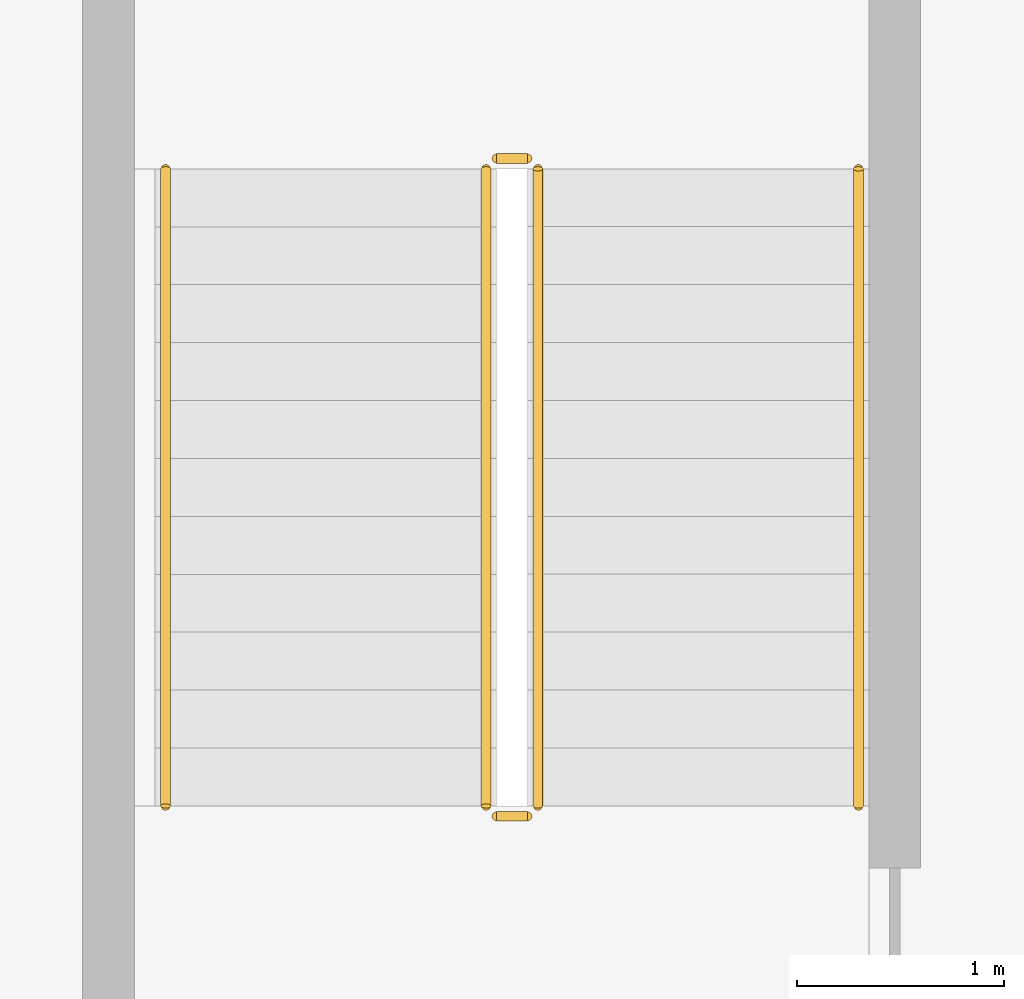
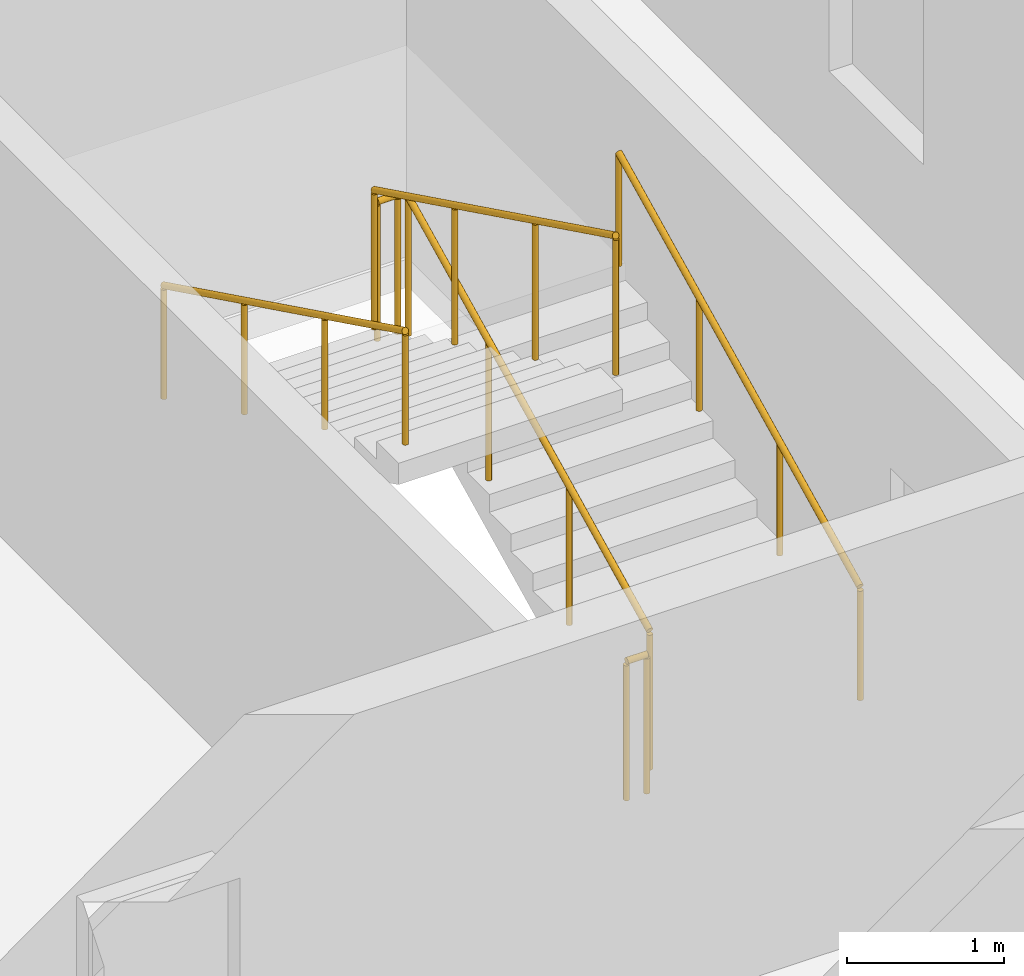
# One storey, part 15 of 29: 6 railings.
"""IFC4 building model written with IfcOpenShell, lengths in metres."""

from ifc_helpers import new_model, si_unit, direction, frame, origin, origin_2d, place, context, subcontext, project, spatial, circle, extrude, material, type_object, element, save


model = new_model("IFC4")

# Units and contexts
model_context = context("Model", 3, precision=1e-05, world=origin(), true_north=direction((0.0, 1.0)))
body_context = subcontext(model_context, "Body", "Model", "MODEL_VIEW")
ifc_project = project(units=[si_unit("LENGTHUNIT", "METRE"), si_unit("AREAUNIT", "SQUARE_METRE"), si_unit("VOLUMEUNIT", "CUBIC_METRE"), si_unit("PLANEANGLEUNIT", "RADIAN"), si_unit("MASSUNIT", "GRAM", prefix="KILO")], contexts=[model_context])

# Site, building, storey
site_placement = place(None, origin())
site = spatial("IfcSite", under=ifc_project, at=site_placement, CompositionType="ELEMENT")
building_placement = place(site_placement, origin())
building = spatial("IfcBuilding", under=site, at=building_placement, Name="Poui Terraces", CompositionType="ELEMENT")
storey_placement = place(building_placement, frame((0.0, 0.0, 237.89990234375)))
storey = spatial("IfcBuildingStorey", under=building, at=storey_placement, Name="L66", CompositionType="ELEMENT", Elevation=237.89990234375)

# Railings
ifc_material_1 = material(Name="Galvanised steel balustrade", Category="steel")
railing_type_1 = type_object("IfcRailingType", Name="STAIR GUARD 1100", PredefinedType="GUARDRAIL", material=ifc_material_1)
railing_1_placement = place(storey_placement, frame((79.47509765625, 16.60009765625, 0.1376953125)))
element("IfcRailing", 1, at=railing_1_placement, inside=storey, type_object=railing_type_1, Name="L66 ST-E stair guard 1", PredefinedType="GUARDRAIL", context=body_context, shape_type="SweptSolid", body=[
    extrude(circle(Radius=0.02392578125, at=origin_2d()), frame((0.0, 0.0, 1.076171875), z_axis=(0.0, 0.897606190399, 0.440798283751), x_axis=(-1.0, 0.0, 0.0)), (0.0, 0.0, 1.0), 3.43115234375),
    extrude(circle(Radius=0.02099609375, at=origin_2d()), origin(), (0.0, 0.0, 1.0), 1.052001953125),
    extrude(circle(Radius=0.02099609375, at=origin_2d()), frame((0.0, 1.026611328125, 0.504150390625)), (0.0, 0.0, 1.0), 1.052001953125),
    extrude(circle(Radius=0.02099609375, at=origin_2d()), frame((0.0, 2.05322265625, 1.00830078125)), (0.0, 0.0, 1.0), 1.052001953125),
    extrude(circle(Radius=0.02099609375, at=origin_2d()), frame((0.0, 3.079833984375, 1.512451171875)), (0.0, 0.0, 1.0), 1.052001953125),
])
railing_2_placement = place(storey_placement, frame((79.425048828125, 19.72998046875, 1.650146484375)))
element("IfcRailing", 2, at=railing_2_placement, inside=storey, type_object=railing_type_1, Name="L66 ST-E stair guard 2", PredefinedType="GUARDRAIL", context=body_context, shape_type="SweptSolid", body=[
    extrude(circle(Radius=0.02392578125, at=origin_2d()), frame((0.0, 0.0, 1.076171875), z_axis=(-1.0, 0.0, 0.0), x_axis=(0.0, -1.0, 0.0)), (0.0, 0.0, 1.0), 0.150146484375),
    extrude(circle(Radius=0.02099609375, at=origin_2d()), origin(), (0.0, 0.0, 1.0), 1.052001953125),
    extrude(circle(Radius=0.02099609375, at=origin_2d()), frame((-0.150146484375, 0.0, 0.0)), (0.0, 0.0, 1.0), 1.052001953125),
])
railing_3_placement = place(storey_placement, frame((79.22509765625, 19.679931640625, 1.78759765625)))
element("IfcRailing", 3, at=railing_3_placement, inside=storey, type_object=railing_type_1, Name="L66 ST-E stair guard 3", PredefinedType="GUARDRAIL", context=body_context, shape_type="SweptSolid", body=[
    extrude(circle(Radius=0.02392578125, at=origin_2d()), frame((0.0, 0.0, 1.076171875), z_axis=(0.0, -0.897606190399, 0.440798283751), x_axis=(1.0, 0.0, 0.0)), (0.0, 0.0, 1.0), 3.43115234375),
    extrude(circle(Radius=0.02099609375, at=origin_2d()), origin(), (0.0, 0.0, 1.0), 1.052001953125),
    extrude(circle(Radius=0.02099609375, at=origin_2d()), frame((0.0, -1.026611328125, 0.504150390625)), (0.0, 0.0, 1.0), 1.052001953125),
    extrude(circle(Radius=0.02099609375, at=origin_2d()), frame((0.0, -2.05322265625, 1.00830078125)), (0.0, 0.0, 1.0), 1.052001953125),
    extrude(circle(Radius=0.02099609375, at=origin_2d()), frame((0.0, -3.079833984375, 1.512451171875)), (0.0, 0.0, 1.0), 1.052001953125),
])
railing_4_placement = place(storey_placement, frame((79.425048828125, 16.550048828125, 0.0)))
element("IfcRailing", 4, at=railing_4_placement, inside=storey, type_object=railing_type_1, Name="L66 ST-E stair guard 4", PredefinedType="GUARDRAIL", context=body_context, shape_type="SweptSolid", body=[
    extrude(circle(Radius=0.02392578125, at=origin_2d()), frame((0.0, 0.0, 1.076171875), z_axis=(-1.0, 0.0, 0.0), x_axis=(0.0, -1.0, 0.0)), (0.0, 0.0, 1.0), 0.150146484375),
    extrude(circle(Radius=0.02099609375, at=origin_2d()), origin(), (0.0, 0.0, 1.0), 1.052001953125),
    extrude(circle(Radius=0.02099609375, at=origin_2d()), frame((-0.150146484375, 0.0, 0.0)), (0.0, 0.0, 1.0), 1.052001953125),
])
ifc_material_2 = material(Name="Stainless steel handrail", Category="steel")
railing_type_2 = type_object("IfcRailingType", Name="STAIR HANDRAIL 900", PredefinedType="HANDRAIL", material=ifc_material_2)
railing_5_placement = place(storey_placement, frame((81.02490234375, 16.60009765625, 0.1376953125)))
element("IfcRailing", 5, at=railing_5_placement, inside=storey, type_object=railing_type_2, Name="L66 ST-E stair handrail 1", PredefinedType="HANDRAIL", context=body_context, shape_type="SweptSolid", body=[
    extrude(circle(Radius=0.02392578125, at=origin_2d()), frame((0.0, 0.0, 0.8759765625), z_axis=(0.0, 0.897606190399, 0.440798283751), x_axis=(-1.0, 0.0, 0.0)), (0.0, 0.0, 1.0), 3.43115234375),
    extrude(circle(Radius=0.02099609375, at=origin_2d()), origin(), (0.0, 0.0, 1.0), 0.851806640625),
    extrude(circle(Radius=0.02099609375, at=origin_2d()), frame((0.0, 1.026611328125, 0.504150390625)), (0.0, 0.0, 1.0), 0.851806640625),
    extrude(circle(Radius=0.02099609375, at=origin_2d()), frame((0.0, 2.05322265625, 1.00830078125)), (0.0, 0.0, 1.0), 0.851806640625),
    extrude(circle(Radius=0.02099609375, at=origin_2d()), frame((0.0, 3.079833984375, 1.512451171875)), (0.0, 0.0, 1.0), 0.851806640625),
])
railing_6_placement = place(storey_placement, frame((77.675048828125, 19.679931640625, 1.78759765625)))
element("IfcRailing", 6, at=railing_6_placement, inside=storey, type_object=railing_type_2, Name="L66 ST-E stair handrail 2", PredefinedType="HANDRAIL", context=body_context, shape_type="SweptSolid", body=[
    extrude(circle(Radius=0.02392578125, at=origin_2d()), frame((0.0, 0.0, 0.8759765625), z_axis=(0.0, -0.897606190399, 0.440798283751), x_axis=(1.0, 0.0, 0.0)), (0.0, 0.0, 1.0), 3.43115234375),
    extrude(circle(Radius=0.02099609375, at=origin_2d()), origin(), (0.0, 0.0, 1.0), 0.851806640625),
    extrude(circle(Radius=0.02099609375, at=origin_2d()), frame((0.0, -1.026611328125, 0.504150390625)), (0.0, 0.0, 1.0), 0.851806640625),
    extrude(circle(Radius=0.02099609375, at=origin_2d()), frame((0.0, -2.05322265625, 1.00830078125)), (0.0, 0.0, 1.0), 0.851806640625),
    extrude(circle(Radius=0.02099609375, at=origin_2d()), frame((0.0, -3.079833984375, 1.512451171875)), (0.0, 0.0, 1.0), 0.851806640625),
])

save(model, "model.ifc")
